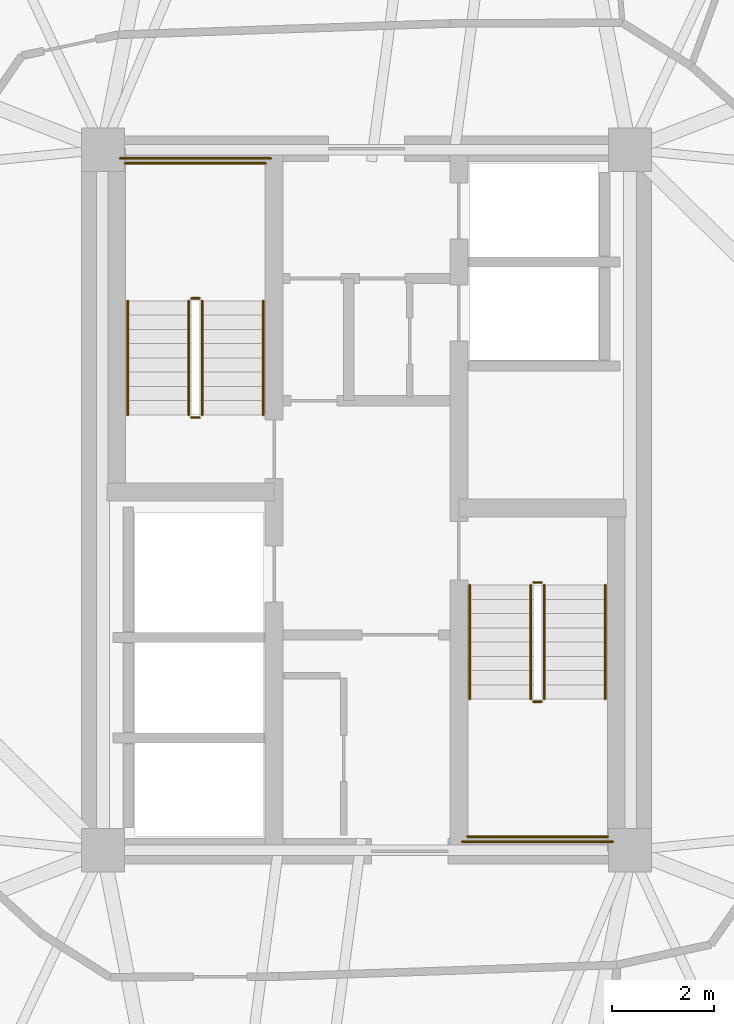
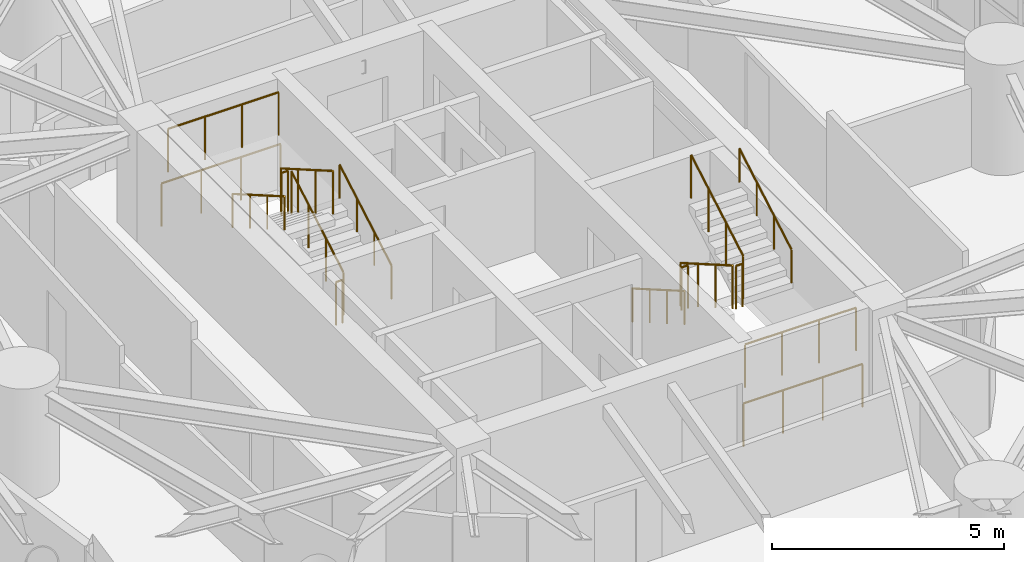
# One storey, part 16 of 17: 16 railings.
"""IFC4 building model written with IfcOpenShell, lengths in metres."""

from ifc_helpers import new_model, si_unit, direction, frame, origin, origin_2d, place, context, subcontext, project, spatial, circle, extrude, material, type_object, element, save


model = new_model("IFC4")

# Units and contexts
model_context = context("Model", 3, precision=1e-05, world=origin(), true_north=direction((0.0, 1.0)))
body_context = subcontext(model_context, "Body", "Model", "MODEL_VIEW")
ifc_project = project(units=[si_unit("LENGTHUNIT", "METRE"), si_unit("AREAUNIT", "SQUARE_METRE"), si_unit("VOLUMEUNIT", "CUBIC_METRE"), si_unit("PLANEANGLEUNIT", "RADIAN"), si_unit("MASSUNIT", "GRAM", prefix="KILO")], contexts=[model_context])

# Site, building, storey
site_placement = place(None, origin())
site = spatial("IfcSite", under=ifc_project, at=site_placement, CompositionType="ELEMENT")
building_placement = place(site_placement, origin())
building = spatial("IfcBuilding", under=site, at=building_placement, Name="Cununo Teusaquillo Station Towers", CompositionType="ELEMENT")
storey_placement = place(building_placement, frame((0.0, 0.0, 27.820068359375)))
storey = spatial("IfcBuildingStorey", under=building, at=storey_placement, Name="L07", CompositionType="ELEMENT", Elevation=27.820068359375)

# Railings
ifc_material_1 = material(Name="Steel EN 10025-2 S355J2", Category="steel")
railing_type_1 = type_object("IfcRailingType", Name="RL-INT-GUARD", PredefinedType="GUARDRAIL", material=ifc_material_1)
railing_1_placement = place(storey_placement, frame((13.27001953125, 26.169921875, 0.16162109375)))
element("IfcRailing", 1, at=railing_1_placement, inside=storey, type_object=railing_type_1, Name="L07 ST-T1-1 stair guard 1", PredefinedType="GUARDRAIL", context=body_context, shape_type="SweptSolid", body=[
    extrude(circle(Radius=0.02392578125, at=origin_2d()), frame((0.0, 0.0, 1.1259765625), z_axis=(0.0, 0.866033117094, 0.499986639918), x_axis=(-1.0, 0.0, 0.0)), (0.0, 0.0, 1.0), 2.58642578125),
    extrude(circle(Radius=0.02099609375, at=origin_2d()), origin(), (0.0, 0.0, 1.0), 1.101806640625),
    extrude(circle(Radius=0.02099609375, at=origin_2d()), frame((0.0, 0.74658203125, 0.43115234375)), (0.0, 0.0, 1.0), 1.101806640625),
    extrude(circle(Radius=0.02099609375, at=origin_2d()), frame((0.0, 1.493408203125, 0.862060546875)), (0.0, 0.0, 1.0), 1.101806640625),
    extrude(circle(Radius=0.02099609375, at=origin_2d()), frame((0.0, 2.239990234375, 1.293212890625)), (0.0, 0.0, 1.0), 1.101806640625),
])
railing_2_placement = place(storey_placement, frame((13.219970703125, 28.4599609375, 1.454833984375)))
element("IfcRailing", 2, at=railing_2_placement, inside=storey, type_object=railing_type_1, Name="L07 ST-T1-1 stair guard 2", PredefinedType="GUARDRAIL", context=body_context, shape_type="SweptSolid", body=[
    extrude(circle(Radius=0.02392578125, at=origin_2d()), frame((0.0, 0.0, 1.1259765625), z_axis=(-1.0, 0.0, 0.0), x_axis=(0.0, -1.0, 0.0)), (0.0, 0.0, 1.0), 0.159912109375),
    extrude(circle(Radius=0.02099609375, at=origin_2d()), origin(), (0.0, 0.0, 1.0), 1.101806640625),
    extrude(circle(Radius=0.02099609375, at=origin_2d()), frame((-0.159912109375, 0.0, 0.0)), (0.0, 0.0, 1.0), 1.101806640625),
])
railing_3_placement = place(storey_placement, frame((14.52001953125, 31.110107421875, 1.454833984375)))
element("IfcRailing", 3, at=railing_3_placement, inside=storey, type_object=railing_type_1, Name="L07 ST-T1-1 stair guard 3", PredefinedType="GUARDRAIL", context=body_context, shape_type="SweptSolid", body=[
    extrude(circle(Radius=0.02392578125, at=origin_2d()), frame((0.0, 0.0, 1.1259765625), z_axis=(-1.0, 0.0, 0.0), x_axis=(0.0, -1.0, 0.0)), (0.0, 0.0, 1.0), 2.760009765625),
    extrude(circle(Radius=0.02099609375, at=origin_2d()), origin(), (0.0, 0.0, 1.0), 1.101806640625),
    extrude(circle(Radius=0.02099609375, at=origin_2d()), frame((-0.919921875, 0.0, 0.0)), (0.0, 0.0, 1.0), 1.101806640625),
    extrude(circle(Radius=0.02099609375, at=origin_2d()), frame((-1.840087890625, 0.0, 0.0)), (0.0, 0.0, 1.0), 1.101806640625),
    extrude(circle(Radius=0.02099609375, at=origin_2d()), frame((-2.760009765625, 0.0, 0.0)), (0.0, 0.0, 1.0), 1.101806640625),
])
railing_4_placement = place(storey_placement, frame((13.010009765625, 28.409912109375, 1.61669921875)))
element("IfcRailing", 4, at=railing_4_placement, inside=storey, type_object=railing_type_1, Name="L07 ST-T1-1 stair guard 4", PredefinedType="GUARDRAIL", context=body_context, shape_type="SweptSolid", body=[
    extrude(circle(Radius=0.02392578125, at=origin_2d()), frame((0.0, 0.0, 1.1259765625), z_axis=(0.0, -0.866033117094, 0.499986639918), x_axis=(1.0, 0.0, 0.0)), (0.0, 0.0, 1.0), 2.58642578125),
    extrude(circle(Radius=0.02099609375, at=origin_2d()), origin(), (0.0, 0.0, 1.0), 1.101806640625),
    extrude(circle(Radius=0.02099609375, at=origin_2d()), frame((0.0, -0.74658203125, 0.43115234375)), (0.0, 0.0, 1.0), 1.101806640625),
    extrude(circle(Radius=0.02099609375, at=origin_2d()), frame((0.0, -1.493408203125, 0.862060546875)), (0.0, 0.0, 1.0), 1.101806640625),
    extrude(circle(Radius=0.02099609375, at=origin_2d()), frame((0.0, -2.239990234375, 1.293212890625)), (0.0, 0.0, 1.0), 1.101806640625),
])
railing_5_placement = place(storey_placement, frame((13.219970703125, 26.1201171875, 0.0)))
element("IfcRailing", 5, at=railing_5_placement, inside=storey, type_object=railing_type_1, Name="L07 ST-T1-1 stair guard 5", PredefinedType="GUARDRAIL", context=body_context, shape_type="SweptSolid", body=[
    extrude(circle(Radius=0.02392578125, at=origin_2d()), frame((0.0, 0.0, 1.1259765625), z_axis=(-1.0, 0.0, 0.0), x_axis=(0.0, -1.0, 0.0)), (0.0, 0.0, 1.0), 0.159912109375),
    extrude(circle(Radius=0.02099609375, at=origin_2d()), origin(), (0.0, 0.0, 1.0), 1.101806640625),
    extrude(circle(Radius=0.02099609375, at=origin_2d()), frame((-0.159912109375, 0.0, 0.0)), (0.0, 0.0, 1.0), 1.101806640625),
])
railing_6_placement = place(storey_placement, frame((14.6201171875, 31.2099609375, 0.0)))
element("IfcRailing", 6, at=railing_6_placement, inside=storey, type_object=railing_type_1, Name="L07 ST-T1-1 stair guard 6", PredefinedType="GUARDRAIL", context=body_context, shape_type="SweptSolid", body=[
    extrude(circle(Radius=0.02392578125, at=origin_2d()), frame((0.0, 0.0, 1.1259765625), z_axis=(-1.0, 0.0, 0.0), x_axis=(0.0, -1.0, 0.0)), (0.0, 0.0, 1.0), 2.960205078125),
    extrude(circle(Radius=0.02099609375, at=origin_2d()), origin(), (0.0, 0.0, 1.0), 1.101806640625),
    extrude(circle(Radius=0.02099609375, at=origin_2d()), frame((-0.98681640625, 0.0, 0.0)), (0.0, 0.0, 1.0), 1.101806640625),
    extrude(circle(Radius=0.02099609375, at=origin_2d()), frame((-1.973388671875, 0.0, 0.0)), (0.0, 0.0, 1.0), 1.101806640625),
    extrude(circle(Radius=0.02099609375, at=origin_2d()), frame((-2.960205078125, 0.0, 0.0)), (0.0, 0.0, 1.0), 1.101806640625),
])
railing_7_placement = place(storey_placement, frame((19.72998046875, 22.830078125, 0.16162109375)))
element("IfcRailing", 7, at=railing_7_placement, inside=storey, type_object=railing_type_1, Name="L07 ST-T1-2 stair guard 1", PredefinedType="GUARDRAIL", context=body_context, shape_type="SweptSolid", body=[
    extrude(circle(Radius=0.02392578125, at=origin_2d()), frame((0.0, 0.0, 1.1259765625), z_axis=(0.0, -0.866033117094, 0.499986639918), x_axis=(1.0, 0.0, 0.0)), (0.0, 0.0, 1.0), 2.58642578125),
    extrude(circle(Radius=0.02099609375, at=origin_2d()), origin(), (0.0, 0.0, 1.0), 1.101806640625),
    extrude(circle(Radius=0.02099609375, at=origin_2d()), frame((0.0, -0.74658203125, 0.43115234375)), (0.0, 0.0, 1.0), 1.101806640625),
    extrude(circle(Radius=0.02099609375, at=origin_2d()), frame((0.0, -1.493408203125, 0.862060546875)), (0.0, 0.0, 1.0), 1.101806640625),
    extrude(circle(Radius=0.02099609375, at=origin_2d()), frame((0.0, -2.239990234375, 1.293212890625)), (0.0, 0.0, 1.0), 1.101806640625),
])
railing_8_placement = place(storey_placement, frame((19.780029296875, 20.5400390625, 1.454833984375)))
element("IfcRailing", 8, at=railing_8_placement, inside=storey, type_object=railing_type_1, Name="L07 ST-T1-2 stair guard 2", PredefinedType="GUARDRAIL", context=body_context, shape_type="SweptSolid", body=[
    extrude(circle(Radius=0.02392578125, at=origin_2d()), frame((0.0, 0.0, 1.1259765625), z_axis=(1.0, 0.0, 0.0), x_axis=(0.0, 1.0, 0.0)), (0.0, 0.0, 1.0), 0.159912109375),
    extrude(circle(Radius=0.02099609375, at=origin_2d()), origin(), (0.0, 0.0, 1.0), 1.101806640625),
    extrude(circle(Radius=0.02099609375, at=origin_2d()), frame((0.159912109375, 0.0, 0.0)), (0.0, 0.0, 1.0), 1.101806640625),
])
railing_9_placement = place(storey_placement, frame((18.47998046875, 17.889892578125, 1.454833984375)))
element("IfcRailing", 9, at=railing_9_placement, inside=storey, type_object=railing_type_1, Name="L07 ST-T1-2 stair guard 3", PredefinedType="GUARDRAIL", context=body_context, shape_type="SweptSolid", body=[
    extrude(circle(Radius=0.02392578125, at=origin_2d()), frame((0.0, 0.0, 1.1259765625), z_axis=(1.0, 0.0, 0.0), x_axis=(0.0, 1.0, 0.0)), (0.0, 0.0, 1.0), 2.760009765625),
    extrude(circle(Radius=0.02099609375, at=origin_2d()), origin(), (0.0, 0.0, 1.0), 1.101806640625),
    extrude(circle(Radius=0.02099609375, at=origin_2d()), frame((0.919921875, 0.0, 0.0)), (0.0, 0.0, 1.0), 1.101806640625),
    extrude(circle(Radius=0.02099609375, at=origin_2d()), frame((1.840087890625, 0.0, 0.0)), (0.0, 0.0, 1.0), 1.101806640625),
    extrude(circle(Radius=0.02099609375, at=origin_2d()), frame((2.760009765625, 0.0, 0.0)), (0.0, 0.0, 1.0), 1.101806640625),
])
railing_10_placement = place(storey_placement, frame((19.989990234375, 20.590087890625, 1.61669921875)))
element("IfcRailing", 10, at=railing_10_placement, inside=storey, type_object=railing_type_1, Name="L07 ST-T1-2 stair guard 4", PredefinedType="GUARDRAIL", context=body_context, shape_type="SweptSolid", body=[
    extrude(circle(Radius=0.02392578125, at=origin_2d()), frame((0.0, 0.0, 1.1259765625), z_axis=(0.0, 0.866033117094, 0.499986639918), x_axis=(-1.0, 0.0, 0.0)), (0.0, 0.0, 1.0), 2.58642578125),
    extrude(circle(Radius=0.02099609375, at=origin_2d()), origin(), (0.0, 0.0, 1.0), 1.101806640625),
    extrude(circle(Radius=0.02099609375, at=origin_2d()), frame((0.0, 0.74658203125, 0.43115234375)), (0.0, 0.0, 1.0), 1.101806640625),
    extrude(circle(Radius=0.02099609375, at=origin_2d()), frame((0.0, 1.493408203125, 0.862060546875)), (0.0, 0.0, 1.0), 1.101806640625),
    extrude(circle(Radius=0.02099609375, at=origin_2d()), frame((0.0, 2.239990234375, 1.293212890625)), (0.0, 0.0, 1.0), 1.101806640625),
])
railing_11_placement = place(storey_placement, frame((19.780029296875, 22.8798828125, 0.0)))
element("IfcRailing", 11, at=railing_11_placement, inside=storey, type_object=railing_type_1, Name="L07 ST-T1-2 stair guard 5", PredefinedType="GUARDRAIL", context=body_context, shape_type="SweptSolid", body=[
    extrude(circle(Radius=0.02392578125, at=origin_2d()), frame((0.0, 0.0, 1.1259765625), z_axis=(1.0, 0.0, 0.0), x_axis=(0.0, 1.0, 0.0)), (0.0, 0.0, 1.0), 0.159912109375),
    extrude(circle(Radius=0.02099609375, at=origin_2d()), origin(), (0.0, 0.0, 1.0), 1.101806640625),
    extrude(circle(Radius=0.02099609375, at=origin_2d()), frame((0.159912109375, 0.0, 0.0)), (0.0, 0.0, 1.0), 1.101806640625),
])
railing_12_placement = place(storey_placement, frame((18.3798828125, 17.7900390625, 0.0)))
element("IfcRailing", 12, at=railing_12_placement, inside=storey, type_object=railing_type_1, Name="L07 ST-T1-2 stair guard 6", PredefinedType="GUARDRAIL", context=body_context, shape_type="SweptSolid", body=[
    extrude(circle(Radius=0.02392578125, at=origin_2d()), frame((0.0, 0.0, 1.1259765625), z_axis=(1.0, 0.0, 0.0), x_axis=(0.0, 1.0, 0.0)), (0.0, 0.0, 1.0), 2.960205078125),
    extrude(circle(Radius=0.02099609375, at=origin_2d()), origin(), (0.0, 0.0, 1.0), 1.101806640625),
    extrude(circle(Radius=0.02099609375, at=origin_2d()), frame((0.98681640625, 0.0, 0.0)), (0.0, 0.0, 1.0), 1.101806640625),
    extrude(circle(Radius=0.02099609375, at=origin_2d()), frame((1.973388671875, 0.0, 0.0)), (0.0, 0.0, 1.0), 1.101806640625),
    extrude(circle(Radius=0.02099609375, at=origin_2d()), frame((2.960205078125, 0.0, 0.0)), (0.0, 0.0, 1.0), 1.101806640625),
])
ifc_material_2 = material(Name="Steel EN 10025-2 S355J2", Category="steel")
railing_type_2 = type_object("IfcRailingType", Name="RL-INT-HRAIL", PredefinedType="HANDRAIL", material=ifc_material_2)
railing_13_placement = place(storey_placement, frame((14.469970703125, 26.169921875, 0.16162109375)))
element("IfcRailing", 13, at=railing_13_placement, inside=storey, type_object=railing_type_2, Name="L07 ST-T1-1 stair handrail 1", PredefinedType="HANDRAIL", context=body_context, shape_type="SweptSolid", body=[
    extrude(circle(Radius=0.02392578125, at=origin_2d()), frame((0.0, 0.0, 0.8759765625), z_axis=(0.0, 0.866033117094, 0.499986639918), x_axis=(-1.0, 0.0, 0.0)), (0.0, 0.0, 1.0), 2.58642578125),
    extrude(circle(Radius=0.02099609375, at=origin_2d()), origin(), (0.0, 0.0, 1.0), 0.851806640625),
    extrude(circle(Radius=0.02099609375, at=origin_2d()), frame((0.0, 0.74658203125, 0.43115234375)), (0.0, 0.0, 1.0), 0.851806640625),
    extrude(circle(Radius=0.02099609375, at=origin_2d()), frame((0.0, 1.493408203125, 0.862060546875)), (0.0, 0.0, 1.0), 0.851806640625),
    extrude(circle(Radius=0.02099609375, at=origin_2d()), frame((0.0, 2.239990234375, 1.293212890625)), (0.0, 0.0, 1.0), 0.851806640625),
])
for number, where, name in (
    (14, (11.81005859375, 28.409912109375, 1.61669921875), "L07 ST-T1-1 stair handrail 2"),
    (15, (18.530029296875, 22.830078125, 0.16162109375), "L07 ST-T1-2 stair handrail 1"),
):
    element("IfcRailing", number, at=place(storey_placement, frame(where)), inside=storey, type_object=railing_type_2, Name=name, PredefinedType="HANDRAIL", context=body_context, shape_type="SweptSolid", body=[
        extrude(circle(Radius=0.02392578125, at=origin_2d()), frame((0.0, 0.0, 0.8759765625), z_axis=(0.0, -0.866033117094, 0.499986639918), x_axis=(1.0, 0.0, 0.0)), (0.0, 0.0, 1.0), 2.58642578125),
        extrude(circle(Radius=0.02099609375, at=origin_2d()), origin(), (0.0, 0.0, 1.0), 0.851806640625),
        extrude(circle(Radius=0.02099609375, at=origin_2d()), frame((0.0, -0.74658203125, 0.43115234375)), (0.0, 0.0, 1.0), 0.851806640625),
        extrude(circle(Radius=0.02099609375, at=origin_2d()), frame((0.0, -1.493408203125, 0.862060546875)), (0.0, 0.0, 1.0), 0.851806640625),
        extrude(circle(Radius=0.02099609375, at=origin_2d()), frame((0.0, -2.239990234375, 1.293212890625)), (0.0, 0.0, 1.0), 0.851806640625),
    ])
railing_14_placement = place(storey_placement, frame((21.18994140625, 20.590087890625, 1.61669921875)))
element("IfcRailing", 16, at=railing_14_placement, inside=storey, type_object=railing_type_2, Name="L07 ST-T1-2 stair handrail 2", PredefinedType="HANDRAIL", context=body_context, shape_type="SweptSolid", body=[
    extrude(circle(Radius=0.02392578125, at=origin_2d()), frame((0.0, 0.0, 0.8759765625), z_axis=(0.0, 0.866033117094, 0.499986639918), x_axis=(-1.0, 0.0, 0.0)), (0.0, 0.0, 1.0), 2.58642578125),
    extrude(circle(Radius=0.02099609375, at=origin_2d()), origin(), (0.0, 0.0, 1.0), 0.851806640625),
    extrude(circle(Radius=0.02099609375, at=origin_2d()), frame((0.0, 0.74658203125, 0.43115234375)), (0.0, 0.0, 1.0), 0.851806640625),
    extrude(circle(Radius=0.02099609375, at=origin_2d()), frame((0.0, 1.493408203125, 0.862060546875)), (0.0, 0.0, 1.0), 0.851806640625),
    extrude(circle(Radius=0.02099609375, at=origin_2d()), frame((0.0, 2.239990234375, 1.293212890625)), (0.0, 0.0, 1.0), 0.851806640625),
])

save(model, "model.ifc")
